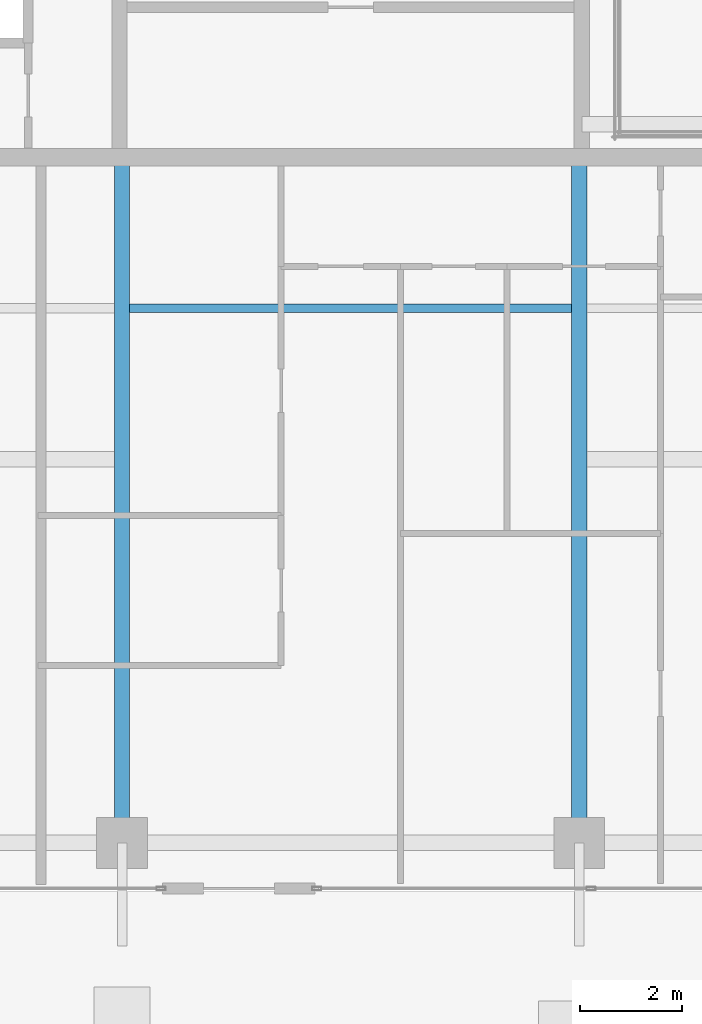
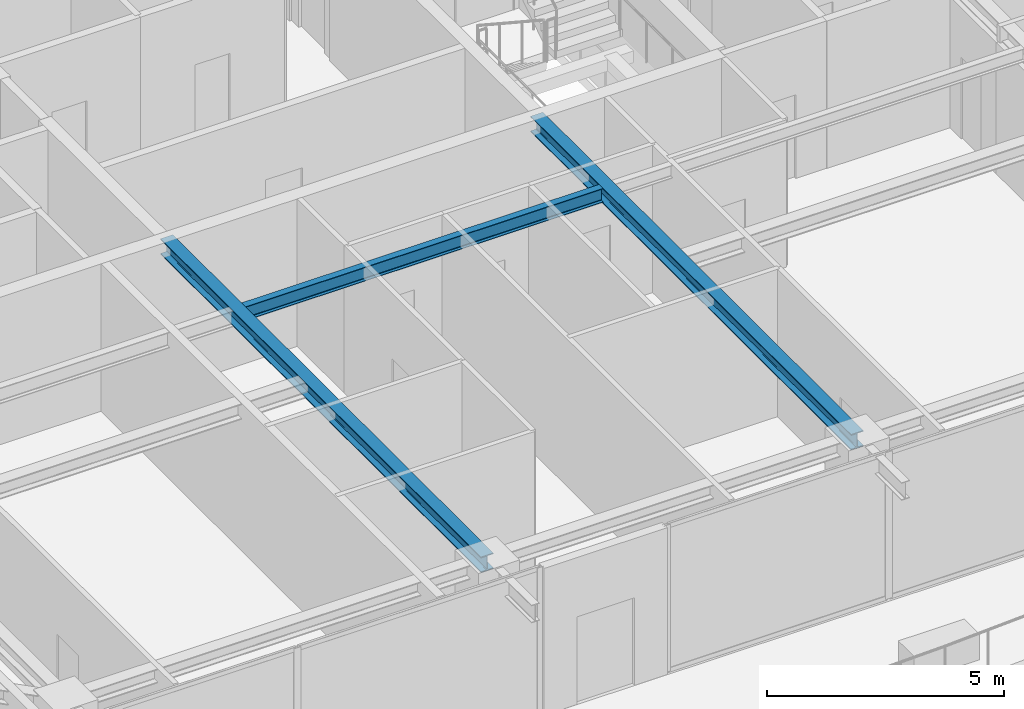
# One storey, part 7 of 42: 3 beams.
"""IFC4 building model written with IfcOpenShell, lengths in metres."""

import ifcopenshell
import ifcopenshell.guid

model = None  # the IFC model being written
_history = None  # IfcOwnerHistory: only IFC2X3 demands one
_inside = {}  # id of a spatial element -> (the spatial element, [elements in it])
_under = {}  # id of a project, library or spatial element -> (it, [spatial elements below it])
_declared = {}  # id of a project -> (the project, [libraries it declares])
_typed = {}  # id of a type object -> (the type object, [elements of that type])
_made_of = {}  # id of a material, layer set ... -> (it, [elements and type objects made of it])


def new_model(schema):
    """Start an empty IFC model of exactly this schema.

    Asked for "IFC4X3", IfcOpenShell would pick the latest addendum, in which some entities
    have other attributes; the version numbers below select the first issue.
    IFC2X3 requires an IfcOwnerHistory on every rooted entity: one is made here for all.
    """
    global model, _history
    if schema == "IFC4X3":
        model = ifcopenshell.file(schema_version=(4, 3, 0, 0))
    else:
        model = ifcopenshell.file(schema=schema)
    _inside.clear()
    _under.clear()
    _declared.clear()
    _typed.clear()
    _made_of.clear()
    _history = None
    if model.schema == "IFC2X3":
        org = make("IfcOrganization", Name="unknown")
        user = make(
            "IfcPersonAndOrganization",
            ThePerson=make("IfcPerson", FamilyName="unknown"),
            TheOrganization=org,
        )
        app = make(
            "IfcApplication",
            ApplicationDeveloper=org,
            Version="unknown",
            ApplicationFullName="unknown",
            ApplicationIdentifier="unknown",
        )
        _history = make(
            "IfcOwnerHistory",
            OwningUser=user,
            OwningApplication=app,
            ChangeAction="ADDED",
            CreationDate=0,
        )
    return model


def make(cls, **values):
    """One entity of the class cls with the attributes given. An attribute that is None is left unset."""
    return model.create_entity(
        cls, **{name: value for name, value in values.items() if value is not None}
    )


def rooted(cls, **values):
    """An entity with a GlobalId (a new one), such as an element, a storey or a relation."""
    return make(cls, GlobalId=ifcopenshell.guid.new(), OwnerHistory=_history, **values)


def si_unit(unit_type, name, prefix=None):
    """IfcSIUnit, for example si_unit("LENGTHUNIT", "METRE", prefix="MILLI")."""
    return make("IfcSIUnit", UnitType=unit_type, Prefix=prefix, Name=name)


def assignment(units):
    """IfcUnitAssignment: the units of a project."""
    return None if units is None else make("IfcUnitAssignment", Units=units)


def point(xyz):
    """IfcCartesianPoint."""
    return None if xyz is None else make("IfcCartesianPoint", Coordinates=xyz)


def direction(xyz):
    """IfcDirection."""
    return None if xyz is None else make("IfcDirection", DirectionRatios=xyz)


def frame(location, z_axis=None, x_axis=None):
    """IfcAxis2Placement3D, a coordinate frame: its origin and axes. An axis left out is left unset."""
    return make(
        "IfcAxis2Placement3D",
        Location=point(location),
        Axis=direction(z_axis),
        RefDirection=direction(x_axis),
    )


def frame_2d(location, x_axis=None):
    """IfcAxis2Placement2D, a coordinate frame in the plane: its origin and x axis."""
    return make(
        "IfcAxis2Placement2D", Location=point(location), RefDirection=direction(x_axis)
    )


def origin():
    """The frame at (0, 0, 0) with its axes left unset."""
    return frame((0.0, 0.0, 0.0))


def origin_2d():
    """The frame at (0, 0) in the plane with its x axis left unset."""
    return frame_2d((0.0, 0.0))


def place(relative_to, where):
    """IfcLocalPlacement: puts the frame where relative to a parent placement (None: the world)."""
    return make(
        "IfcLocalPlacement", PlacementRelTo=relative_to, RelativePlacement=where
    )


def context(
    kind, dimensions, precision=None, world=None, true_north=None, identifier=None
):
    """IfcGeometricRepresentationContext, for example the 3D "Model" context."""
    return make(
        "IfcGeometricRepresentationContext",
        ContextIdentifier=identifier,
        ContextType=kind,
        CoordinateSpaceDimension=dimensions,
        Precision=precision,
        WorldCoordinateSystem=world,
        TrueNorth=true_north,
    )


def subcontext(parent, identifier, kind, view, scale=None):
    """IfcGeometricRepresentationSubContext, for example "Body" below "Model"."""
    return make(
        "IfcGeometricRepresentationSubContext",
        ContextIdentifier=identifier,
        ContextType=kind,
        ParentContext=parent,
        TargetScale=scale,
        TargetView=view,
    )


def project(units=None, contexts=None):
    """IfcProject with its units and contexts."""
    return rooted(
        "IfcProject",
        Name="project",
        RepresentationContexts=contexts,
        UnitsInContext=assignment(units),
    )


def spatial(cls, under=None, at=None, **own):
    """A site, building, storey or space (cls), placed at a placement, below another one or the project."""
    s = rooted(cls, ObjectPlacement=at, **own)
    if under is not None:
        _under.setdefault(under.id(), (under, []))[1].append(s)
    return s


def profile(cls, at=None, kind="AREA", **sizes):
    """A parametric profile (cls). Its sizes go by their IFC names, for example OverallWidth=200.0."""
    return make(cls, ProfileType=kind, Position=at, **sizes)


def i_section(**sizes):
    """IfcIShapeProfileDef."""
    return profile("IfcIShapeProfileDef", **sizes)


def extrude(swept, where, along, depth):
    """IfcExtrudedAreaSolid: the profile swept, set in the frame where, extruded along a direction by depth."""
    return make(
        "IfcExtrudedAreaSolid",
        SweptArea=swept,
        Position=where,
        ExtrudedDirection=direction(along),
        Depth=depth,
    )


def shape(context_of_items, identifier, shape_type, items):
    """IfcShapeRepresentation: the items that make up one representation, for example the "Body"."""
    return make(
        "IfcShapeRepresentation",
        ContextOfItems=context_of_items,
        RepresentationIdentifier=identifier,
        RepresentationType=shape_type,
        Items=items,
    )


def source(mapping_origin, context_of_items, identifier, shape_type, items):
    """IfcRepresentationMap: a shape defined once, which mapped items show again and again."""
    return make(
        "IfcRepresentationMap",
        MappingOrigin=mapping_origin,
        MappedRepresentation=shape(context_of_items, identifier, shape_type, items),
    )


def transform(
    local_origin,
    x_axis=None,
    y_axis=None,
    z_axis=None,
    scale=None,
    scale2=None,
    scale3=None,
    uniform=True,
):
    """IfcCartesianTransformationOperator3D, or its non-uniform kind. x_axis, y_axis, z_axis: its Axis1, 2, 3."""
    if uniform:
        return make(
            "IfcCartesianTransformationOperator3D",
            Axis1=direction(x_axis),
            Axis2=direction(y_axis),
            LocalOrigin=point(local_origin),
            Scale=scale,
            Axis3=direction(z_axis),
        )
    return make(
        "IfcCartesianTransformationOperator3DnonUniform",
        Axis1=direction(x_axis),
        Axis2=direction(y_axis),
        LocalOrigin=point(local_origin),
        Scale=scale,
        Axis3=direction(z_axis),
        Scale2=scale2,
        Scale3=scale3,
    )


def mapped(mapping_source, mapping_target):
    """IfcMappedItem: shows the shape of a source again, moved by a transform."""
    return make(
        "IfcMappedItem", MappingSource=mapping_source, MappingTarget=mapping_target
    )


def material(Name=None, Category=None):
    """IfcMaterial."""
    return make("IfcMaterial", Name=Name, Category=Category)


def material_profile(
    of_material, cross_section, Name=None, Category=None, Priority=None
):
    """IfcMaterialProfile: a cross section and its material."""
    return make(
        "IfcMaterialProfile",
        Name=Name,
        Material=of_material,
        Profile=cross_section,
        Priority=Priority,
        Category=Category,
    )


def profile_set(profiles, Name=None, composite=None):
    """IfcMaterialProfileSet."""
    return make(
        "IfcMaterialProfileSet",
        Name=Name,
        MaterialProfiles=profiles,
        CompositeProfile=composite,
    )


def made_of(thing, what):
    """Note that an element or type object is made of a material, layer set ...; save() writes the relation."""
    if what is not None:
        _made_of.setdefault(what.id(), (what, []))[1].append(thing)
    return thing


def type_object(cls, material=None, **own):
    """A type object (cls), such as IfcWallType, which elements share."""
    return made_of(rooted(cls, **own), material)


def element(
    cls,
    number,
    at=None,
    inside=None,
    cuts=None,
    type_object=None,
    material=None,
    context=None,
    identifier="Body",
    shape_type=None,
    held_by="IfcProductDefinitionShape",
    body=None,
    shapes=None,
    **own,
):
    """One element of the class cls, such as IfcWall. Its Tag is "e" and its number.

    at: its placement. inside: the storey or other place that contains it. cuts: it is an
    opening in that element (IfcRelVoidsElement). A single representation is given by context,
    identifier, shape_type and body (its items); several are given by shapes. held_by: the class
    of the entity that holds the representations. save() writes the other relations.
    """
    e = rooted(cls, Tag="e%d" % number, ObjectPlacement=at, **own)
    if body is not None:
        shapes = [shape(context, identifier, shape_type, body)]
    if shapes is not None:
        e.Representation = make(held_by, Representations=shapes)
    if inside is not None:
        _inside.setdefault(inside.id(), (inside, []))[1].append(e)
    if cuts is not None:
        rooted(
            "IfcRelVoidsElement", RelatingBuildingElement=cuts, RelatedOpeningElement=e
        )
    if type_object is not None:
        _typed.setdefault(type_object.id(), (type_object, []))[1].append(e)
    return made_of(e, material)


def aggregate(whole, parts):
    """IfcRelAggregates: a whole, such as a stair, and the parts it consists of."""
    return rooted("IfcRelAggregates", RelatingObject=whole, RelatedObjects=parts)


def save(model, path):
    """Write the relations noted so far, then the file.

    IfcRelAggregates (storeys below a building ...), IfcRelContainedInSpatialStructure (elements
    in a storey), IfcRelDefinesByType, IfcRelAssociatesMaterial and IfcRelDeclares: one each for
    every whole, place, type object, material and project.
    """
    for whole, parts in _under.values():
        aggregate(whole, parts)
    for where, things in _inside.values():
        rooted(
            "IfcRelContainedInSpatialStructure",
            RelatedElements=things,
            RelatingStructure=where,
        )
    for kind, things in _typed.values():
        rooted("IfcRelDefinesByType", RelatedObjects=things, RelatingType=kind)
    for what, things in _made_of.values():
        rooted("IfcRelAssociatesMaterial", RelatedObjects=things, RelatingMaterial=what)
    for by, libraries in _declared.values():
        rooted("IfcRelDeclares", RelatingContext=by, RelatedDefinitions=libraries)
    model.write(path)


model = new_model("IFC4")

# Units and contexts
model_context = context("Model", 3, precision=1e-05, world=origin(), true_north=direction((0.0, 1.0)))
body_context = subcontext(model_context, "Body", "Model", "MODEL_VIEW")
ifc_project = project(units=[si_unit("LENGTHUNIT", "METRE"), si_unit("AREAUNIT", "SQUARE_METRE"), si_unit("VOLUMEUNIT", "CUBIC_METRE"), si_unit("PLANEANGLEUNIT", "RADIAN"), si_unit("MASSUNIT", "GRAM", prefix="KILO")], contexts=[model_context])

# Site, building, storey
site_placement = place(None, origin())
site = spatial("IfcSite", under=ifc_project, at=site_placement, CompositionType="ELEMENT")
building_placement = place(site_placement, origin())
building = spatial("IfcBuilding", under=site, at=building_placement, Name="Serunith Strait Residences", CompositionType="ELEMENT")
storey_placement = place(building_placement, frame((0.0, 0.0, 325.85009765625)))
storey = spatial("IfcBuildingStorey", under=building, at=storey_placement, Name="L81", CompositionType="ELEMENT", Elevation=325.85009765625)

# Beams
ifc_material = material(Name="Steel S355J2", Category="steel")
ifc_material_profile_1 = material_profile(ifc_material, i_section(OverallWidth=0.169921875, OverallDepth=0.360107421875, WebThickness=0.008056640625, FlangeThickness=0.0126953125, FilletRadius=0.01806640625, at=origin_2d()), Name="IPE 360")
ifc_profile_set_1 = profile_set([ifc_material_profile_1], Name="Steel S355J2")
beam_type_1 = type_object("IfcBeamType", Name="BM-IPE360", PredefinedType="JOIST", material=ifc_profile_set_1)
shared_shape_1 = source(origin(), body_context, "Body", "SweptSolid", [
    extrude(i_section(OverallWidth=0.169921875, OverallDepth=0.360107421875, WebThickness=0.008056640625, FlangeThickness=0.0126953125, FilletRadius=0.01806640625, at=origin_2d()), origin(), (0.0, 0.0, 1.0), 8.699951171875),
])
beam_placement = place(storey_placement, frame((28.050048828125, 13.824951171875, 3.60693359375), z_axis=(1.0, 0.0, 0.0), x_axis=(0.0, 1.0, 0.0)))
element("IfcBeam", 1, at=beam_placement, inside=storey, type_object=beam_type_1, Name="L81 Composite Floor Joist 02", PredefinedType="JOIST", context=body_context, shape_type="MappedRepresentation", body=[
    mapped(shared_shape_1, transform((0.0, 0.0, 0.0), scale=1.0)),
])
ifc_material_profile_2 = material_profile(ifc_material, i_section(OverallWidth=0.300048828125, OverallDepth=0.39990234375, WebThickness=0.013427734375, FlangeThickness=0.02392578125, FilletRadius=0.027099609375, at=origin_2d()), Name="HEB 400")
ifc_profile_set_2 = profile_set([ifc_material_profile_2], Name="Steel S355J2")
beam_type_2 = type_object("IfcBeamType", Name="BM-HEB400", PredefinedType="BEAM", material=ifc_profile_set_2)
shared_shape_2 = source(origin(), body_context, "Body", "SweptSolid", [
    extrude(i_section(OverallWidth=0.300048828125, OverallDepth=0.39990234375, WebThickness=0.013427734375, FlangeThickness=0.02392578125, FilletRadius=0.027099609375, at=origin_2d()), origin(), (0.0, 0.0, 1.0), 13.5),
])
for number, where, z_axis, x_axis, name in (
    (2, (27.89990234375, 16.800048828125, 3.5869140625), (0.0, -1.0, 0.0), (1.0, 0.0, 0.0), "L81 Primary Floor Girder TC-S2"),
    (3, (36.89990234375, 16.800048828125, 3.5869140625), (0.0, -1.0, 0.0), (1.0, 0.0, 0.0), "L81 Primary Floor Girder TC-S3"),
):
    element("IfcBeam", number, at=place(storey_placement, frame(where, z_axis=z_axis, x_axis=x_axis)), inside=storey, type_object=beam_type_2, Name=name, PredefinedType="BEAM", context=body_context, shape_type="MappedRepresentation", body=[
        mapped(shared_shape_2, transform((0.0, 0.0, 0.0), scale=1.0)),
    ])

save(model, "model.ifc")
